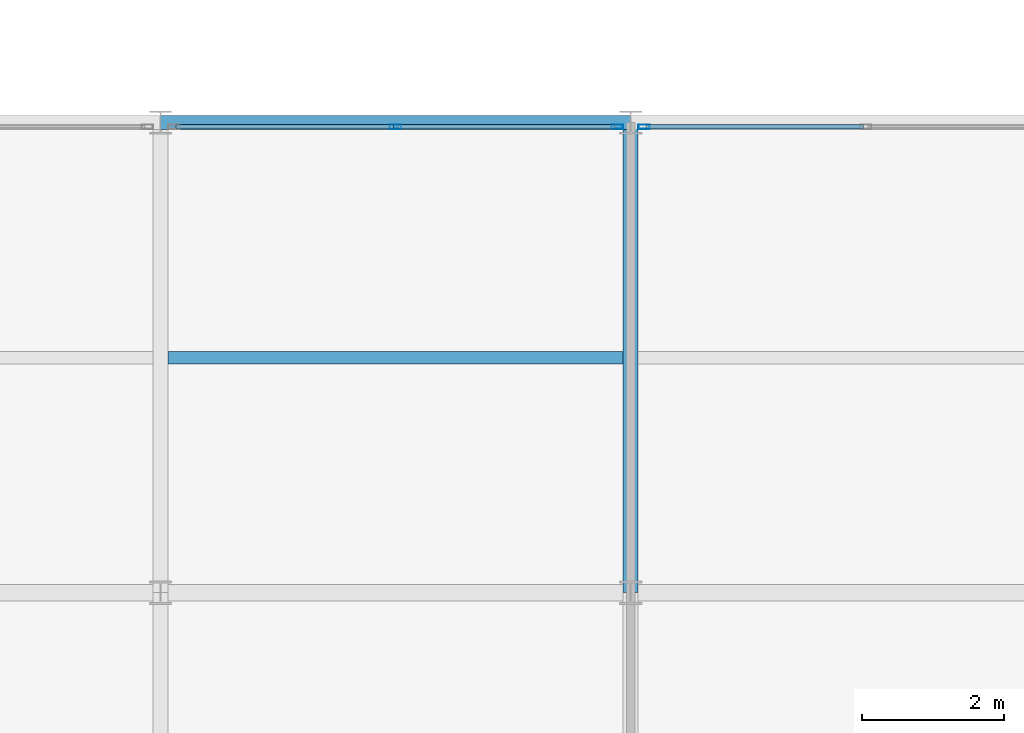
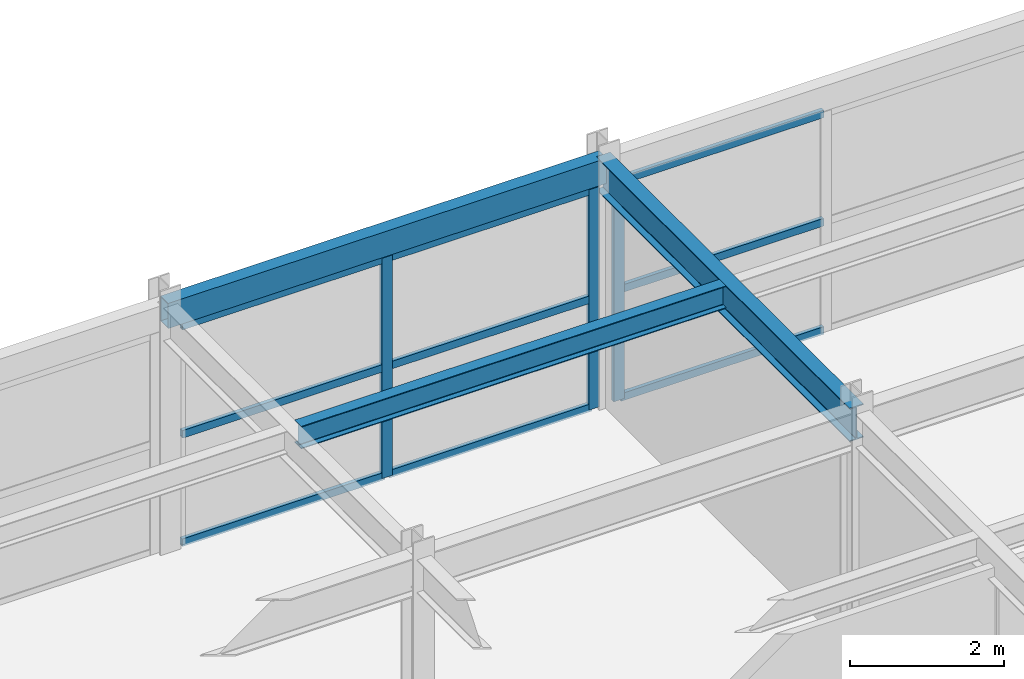
# One storey, part 56 of 134: 12 members, 3 beams, 2 elements without a shape of their own.
"""IFC4 building model written with IfcOpenShell, lengths in metres."""

from ifc_helpers import new_model, si_unit, direction, frame, origin, origin_2d, place, context, subcontext, project, spatial, hollow_rectangle, i_section, extrude, material, material_profile, profile_set, type_object, element, aggregate, save


model = new_model("IFC4")

# Units and contexts
model_context = context("Model", 3, precision=1e-05, world=origin(), true_north=direction((0.0, 1.0)))
body_context = subcontext(model_context, "Body", "Model", "MODEL_VIEW")
ifc_project = project(units=[si_unit("LENGTHUNIT", "METRE"), si_unit("AREAUNIT", "SQUARE_METRE"), si_unit("VOLUMEUNIT", "CUBIC_METRE"), si_unit("PLANEANGLEUNIT", "RADIAN"), si_unit("MASSUNIT", "GRAM", prefix="KILO")], contexts=[model_context])

# Site, building, storey
site_placement = place(None, origin())
site = spatial("IfcSite", under=ifc_project, at=site_placement, CompositionType="ELEMENT")
building_placement = place(site_placement, origin())
building = spatial("IfcBuilding", under=site, at=building_placement, Name="Karori Crest Natural Sciences Institute", CompositionType="ELEMENT")
storey_placement = place(building_placement, frame((0.0, 0.0, 21.699951171875)))
storey = spatial("IfcBuildingStorey", under=building, at=storey_placement, Name="L05", CompositionType="ELEMENT", Elevation=21.699951171875)

# Beams
ifc_material_1 = material(Name="Structural steel AS/NZS 3679.1 Grade 350", Category="steel")
ifc_material_profile_1 = material_profile(ifc_material_1, i_section(OverallWidth=0.208984375, OverallDepth=0.532958984375, WebThickness=0.01025390625, FlangeThickness=0.015625, FilletRadius=0.013916015625, at=origin_2d()), Name="530UB92.4")
ifc_profile_set_1 = profile_set([ifc_material_profile_1], Name="Structural steel AS/NZS 3679.1 Grade 350")
beam_type_1 = type_object("IfcBeamType", Name="BT-05", PredefinedType="BEAM", material=ifc_profile_set_1)
beam_1_placement = place(storey_placement, frame((123.39990234375, 14.0, 3.653564453125), z_axis=(0.0, 1.0, 0.0), x_axis=(-1.0, 0.0, 0.0)))
element("IfcBeam", 1, at=beam_1_placement, inside=storey, type_object=beam_type_1, Name="Beam B-2499", PredefinedType="BEAM", context=body_context, shape_type="SweptSolid", body=[
    extrude(i_section(OverallWidth=0.208984375, OverallDepth=0.532958984375, WebThickness=0.01025390625, FlangeThickness=0.015625, FilletRadius=0.013916015625, at=origin_2d()), origin(), (0.0, 0.0, 1.0), 6.60009765625),
])
ifc_material_profile_2 = material_profile(ifc_material_1, i_section(OverallWidth=0.172119140625, OverallDepth=0.35888671875, WebThickness=0.008056640625, FlangeThickness=0.012939453125, FilletRadius=0.010986328125, at=origin_2d()), Name="360UB56.7")
ifc_profile_set_2 = profile_set([ifc_material_profile_2], Name="Structural steel AS/NZS 3679.1 Grade 350")
beam_type_2 = type_object("IfcBeamType", Name="BT-08", PredefinedType="BEAM", material=ifc_profile_set_2)
beam_2_placement = place(storey_placement, frame((116.904541015625, 17.300048828125, 3.740478515625), z_axis=(1.0, 0.0, 0.0), x_axis=(0.0, 1.0, 0.0)))
element("IfcBeam", 2, at=beam_2_placement, inside=storey, type_object=beam_type_2, Name="Beam B-2524", PredefinedType="BEAM", context=body_context, shape_type="SweptSolid", body=[
    extrude(i_section(OverallWidth=0.172119140625, OverallDepth=0.35888671875, WebThickness=0.008056640625, FlangeThickness=0.012939453125, FilletRadius=0.010986328125, at=origin_2d()), origin(), (0.0, 0.0, 1.0), 6.390869140625),
])
ifc_material_2 = material(Name="Hollow structural steel AS/NZS 1163 Grade C350", Category="steel")
ifc_material_profile_3 = material_profile(ifc_material_2, hollow_rectangle(XDim=0.199951171875, YDim=0.39990234375, WallThickness=0.012451171875, at=origin_2d()), Name="RHS400x200x12.5")
ifc_profile_set_3 = profile_set([ifc_material_profile_3], Name="Hollow structural steel AS/NZS 1163 Grade C350")
beam_type_3 = type_object("IfcBeamType", Name="BT-14", PredefinedType="SPANDREL", material=ifc_profile_set_3)
beam_3_placement = place(storey_placement, frame((116.800048828125, 20.60009765625, 3.719970703125), z_axis=(1.0, 0.0, 0.0), x_axis=(0.0, 1.0, 0.0)))
element("IfcBeam", 3, at=beam_3_placement, inside=storey, type_object=beam_type_3, Name="Beam B-2481", PredefinedType="SPANDREL", context=body_context, shape_type="SweptSolid", body=[
    extrude(hollow_rectangle(XDim=0.199951171875, YDim=0.39990234375, WallThickness=0.012451171875, at=origin_2d()), origin(), (0.0, 0.0, 1.0), 6.599853515625),
])

# Curtain wall, members
ifc_material_3 = material(Name="Anodised architectural aluminium 6063-T6", Category="aluminium")
curtain_wall_type = type_object("IfcCurtainWallType", Name="CWT-20", PredefinedType="NOTDEFINED", material=ifc_material_3)
curtain_wall_1_placement = place(storey_placement, origin())
curtain_wall_1 = element("IfcCurtainWall", 4, at=curtain_wall_1_placement, inside=storey, type_object=curtain_wall_type, Name="Curtain wall CW-0342", PredefinedType="NOTDEFINED")
ifc_material_profile_4 = material_profile(ifc_material_3, hollow_rectangle(XDim=0.06494140625, YDim=0.159912109375, WallThickness=0.00390625, at=origin_2d()), Name="CWM160x65x4")
ifc_profile_set_4 = profile_set([ifc_material_profile_4], Name="Anodised architectural aluminium 6063-T6")
member_type_1 = type_object("IfcMemberType", Name="CWM-01", PredefinedType="MULLION", material=ifc_profile_set_4)
member_1_placement = place(storey_placement, frame((120.10009765625, 20.5400390625, 0.0), z_axis=(0.0, 0.0, 1.0), x_axis=(0.0, 1.0, 0.0)))
member_1 = element("IfcMember", 5, at=member_1_placement, type_object=member_type_1, Name="CW-0342 mullion 2", PredefinedType="MULLION", context=body_context, shape_type="SweptSolid", body=[
    extrude(hollow_rectangle(XDim=0.06494140625, YDim=0.159912109375, WallThickness=0.00390625, at=origin_2d()), origin(), (0.0, 0.0, 1.0), 3.505126953125),
])
member_2_placement = place(storey_placement, frame((123.214111328125, 20.5400390625, 0.0), z_axis=(0.0, 0.0, 1.0), x_axis=(0.0, 1.0, 0.0)))
member_2 = element("IfcMember", 6, at=member_2_placement, type_object=member_type_1, Name="CW-0342 mullion 3", PredefinedType="MULLION", context=body_context, shape_type="SweptSolid", body=[
    extrude(hollow_rectangle(XDim=0.06494140625, YDim=0.159912109375, WallThickness=0.00390625, at=origin_2d()), origin(), (0.0, 0.0, 1.0), 3.505126953125),
])

# Curtain wall, member
curtain_wall_2_placement = place(storey_placement, origin())
curtain_wall_2 = element("IfcCurtainWall", 7, at=curtain_wall_2_placement, inside=storey, type_object=curtain_wall_type, Name="Curtain wall CW-0343", PredefinedType="NOTDEFINED")
member_3_placement = place(storey_placement, frame((123.5859375, 20.5400390625, 0.0), z_axis=(0.0, 0.0, 1.0), x_axis=(0.0, 1.0, 0.0)))
member_3 = element("IfcMember", 8, at=member_3_placement, type_object=member_type_1, Name="CW-0343 mullion 1", PredefinedType="MULLION", context=body_context, shape_type="SweptSolid", body=[
    extrude(hollow_rectangle(XDim=0.06494140625, YDim=0.159912109375, WallThickness=0.00390625, at=origin_2d()), origin(), (0.0, 0.0, 1.0), 3.505126953125),
])

# Member
ifc_material_profile_5 = material_profile(ifc_material_3, hollow_rectangle(XDim=0.06005859375, YDim=0.1201171875, WallThickness=0.00390625, at=origin_2d()), Name="CWT120x60x4")
ifc_profile_set_5 = profile_set([ifc_material_profile_5], Name="Anodised architectural aluminium 6063-T6")
member_type_2 = type_object("IfcMemberType", Name="CWT-TR1", PredefinedType="USERDEFINED", material=ifc_profile_set_5)
member_4_placement = place(storey_placement, frame((117.0185546875, 20.5400390625, 0.030029296875), z_axis=(1.0, 0.0, 0.0), x_axis=(0.0, 1.0, 0.0)))
member_4 = element("IfcMember", 9, at=member_4_placement, type_object=member_type_2, Name="CW-0342 transom 1.1", ObjectType="TRANSOM", PredefinedType="USERDEFINED", context=body_context, shape_type="SweptSolid", body=[
    extrude(hollow_rectangle(XDim=0.06005859375, YDim=0.1201171875, WallThickness=0.00390625, at=origin_2d()), origin(), (0.0, 0.0, 1.0), 3.048828125),
])

member_5_placement = place(storey_placement, frame((117.0185546875, 20.5400390625, 1.75244140625), z_axis=(1.0, 0.0, 0.0), x_axis=(0.0, 1.0, 0.0)))
member_5 = element("IfcMember", 10, at=member_5_placement, type_object=member_type_2, Name="CW-0342 transom 1.2", ObjectType="TRANSOM", PredefinedType="USERDEFINED", context=body_context, shape_type="SweptSolid", body=[
    extrude(hollow_rectangle(XDim=0.06005859375, YDim=0.1201171875, WallThickness=0.00390625, at=origin_2d()), origin(), (0.0, 0.0, 1.0), 3.048828125),
])

member_6_placement = place(storey_placement, frame((117.0185546875, 20.5400390625, 3.47509765625), z_axis=(1.0, 0.0, 0.0), x_axis=(0.0, 1.0, 0.0)))
member_6 = element("IfcMember", 11, at=member_6_placement, type_object=member_type_2, Name="CW-0342 transom 1.3", ObjectType="TRANSOM", PredefinedType="USERDEFINED", context=body_context, shape_type="SweptSolid", body=[
    extrude(hollow_rectangle(XDim=0.06005859375, YDim=0.1201171875, WallThickness=0.00390625, at=origin_2d()), origin(), (0.0, 0.0, 1.0), 3.048828125),
])

member_7_placement = place(storey_placement, frame((120.132568359375, 20.5400390625, 0.030029296875), z_axis=(1.0, 0.0, 0.0), x_axis=(0.0, 1.0, 0.0)))
member_7 = element("IfcMember", 12, at=member_7_placement, type_object=member_type_2, Name="CW-0342 transom 2.1", ObjectType="TRANSOM", PredefinedType="USERDEFINED", context=body_context, shape_type="SweptSolid", body=[
    extrude(hollow_rectangle(XDim=0.06005859375, YDim=0.1201171875, WallThickness=0.00390625, at=origin_2d()), origin(), (0.0, 0.0, 1.0), 3.048828125),
])

member_8_placement = place(storey_placement, frame((120.132568359375, 20.5400390625, 1.75244140625), z_axis=(1.0, 0.0, 0.0), x_axis=(0.0, 1.0, 0.0)))
member_8 = element("IfcMember", 13, at=member_8_placement, type_object=member_type_2, Name="CW-0342 transom 2.2", ObjectType="TRANSOM", PredefinedType="USERDEFINED", context=body_context, shape_type="SweptSolid", body=[
    extrude(hollow_rectangle(XDim=0.06005859375, YDim=0.1201171875, WallThickness=0.00390625, at=origin_2d()), origin(), (0.0, 0.0, 1.0), 3.048828125),
])

member_9_placement = place(storey_placement, frame((120.132568359375, 20.5400390625, 3.47509765625), z_axis=(1.0, 0.0, 0.0), x_axis=(0.0, 1.0, 0.0)))
member_9 = element("IfcMember", 14, at=member_9_placement, type_object=member_type_2, Name="CW-0342 transom 2.3", ObjectType="TRANSOM", PredefinedType="USERDEFINED", context=body_context, shape_type="SweptSolid", body=[
    extrude(hollow_rectangle(XDim=0.06005859375, YDim=0.1201171875, WallThickness=0.00390625, at=origin_2d()), origin(), (0.0, 0.0, 1.0), 3.048828125),
])

aggregate(curtain_wall_1, [member_1, member_2, member_4, member_5, member_6, member_7, member_8, member_9])

member_10_placement = place(storey_placement, frame((123.618408203125, 20.5400390625, 0.030029296875), z_axis=(1.0, 0.0, 0.0), x_axis=(0.0, 1.0, 0.0)))
member_10 = element("IfcMember", 15, at=member_10_placement, type_object=member_type_2, Name="CW-0343 transom 1.1", ObjectType="TRANSOM", PredefinedType="USERDEFINED", context=body_context, shape_type="SweptSolid", body=[
    extrude(hollow_rectangle(XDim=0.06005859375, YDim=0.1201171875, WallThickness=0.00390625, at=origin_2d()), origin(), (0.0, 0.0, 1.0), 3.049072265625),
])

member_11_placement = place(storey_placement, frame((123.618408203125, 20.5400390625, 1.75244140625), z_axis=(1.0, 0.0, 0.0), x_axis=(0.0, 1.0, 0.0)))
member_11 = element("IfcMember", 16, at=member_11_placement, type_object=member_type_2, Name="CW-0343 transom 1.2", ObjectType="TRANSOM", PredefinedType="USERDEFINED", context=body_context, shape_type="SweptSolid", body=[
    extrude(hollow_rectangle(XDim=0.06005859375, YDim=0.1201171875, WallThickness=0.00390625, at=origin_2d()), origin(), (0.0, 0.0, 1.0), 3.049072265625),
])

member_12_placement = place(storey_placement, frame((123.618408203125, 20.5400390625, 3.47509765625), z_axis=(1.0, 0.0, 0.0), x_axis=(0.0, 1.0, 0.0)))
member_12 = element("IfcMember", 17, at=member_12_placement, type_object=member_type_2, Name="CW-0343 transom 1.3", ObjectType="TRANSOM", PredefinedType="USERDEFINED", context=body_context, shape_type="SweptSolid", body=[
    extrude(hollow_rectangle(XDim=0.06005859375, YDim=0.1201171875, WallThickness=0.00390625, at=origin_2d()), origin(), (0.0, 0.0, 1.0), 3.049072265625),
])

aggregate(curtain_wall_2, [member_3, member_10, member_11, member_12])

save(model, "model.ifc")
